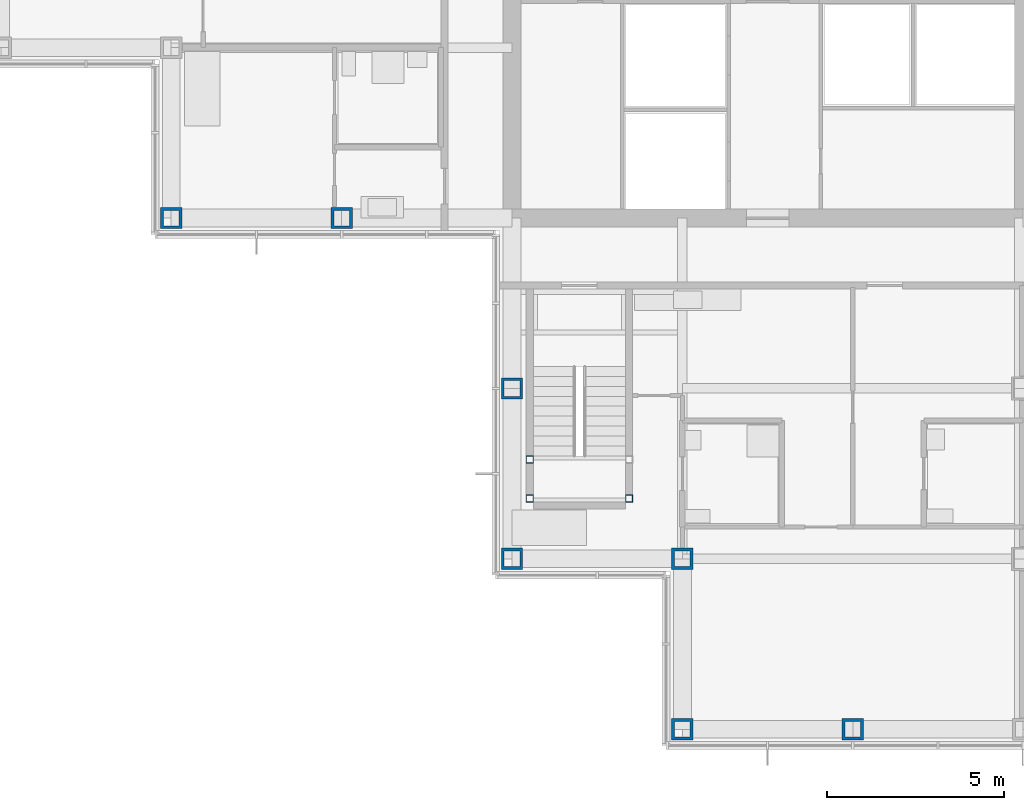
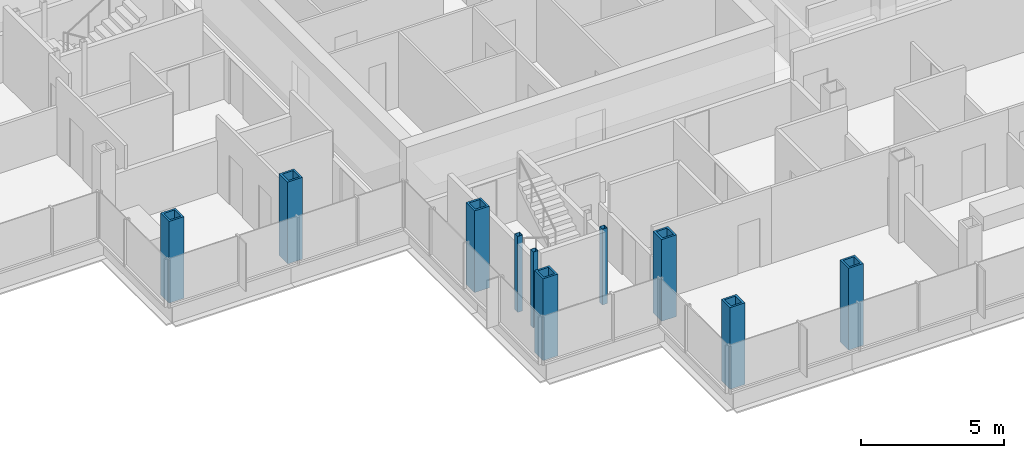
# One storey, part 1 of 20: 10 columns.
"""IFC4 building model written with IfcOpenShell, lengths in metres."""

from ifc_helpers import new_model, si_unit, direction, frame, origin, origin_2d, place, context, subcontext, project, spatial, hollow_rectangle, extrude, material, material_profile, profile_set, type_object, element, save


model = new_model("IFC4")

# Units and contexts
model_context = context("Model", 3, precision=1e-05, world=origin(), true_north=direction((0.0, 1.0)))
body_context = subcontext(model_context, "Body", "Model", "MODEL_VIEW")
ifc_project = project(units=[si_unit("LENGTHUNIT", "METRE"), si_unit("AREAUNIT", "SQUARE_METRE"), si_unit("VOLUMEUNIT", "CUBIC_METRE"), si_unit("PLANEANGLEUNIT", "RADIAN"), si_unit("MASSUNIT", "GRAM", prefix="KILO")], contexts=[model_context])

# Site, building, storey
site_placement = place(None, origin())
site = spatial("IfcSite", under=ifc_project, at=site_placement, CompositionType="ELEMENT")
building_placement = place(site_placement, origin())
building = spatial("IfcBuilding", under=site, at=building_placement, Name="Kvirike Care Tower", CompositionType="ELEMENT")
storey_placement = place(building_placement, frame((0.0, 0.0, 133.0)))
storey = spatial("IfcBuildingStorey", under=building, at=storey_placement, Name="L36", CompositionType="ELEMENT", Elevation=133.0)

# Columns
ifc_material_1 = material(Name="Steel S460", Category="steel")
ifc_material_profile_1 = material_profile(ifc_material_1, hollow_rectangle(XDim=0.60009765625, YDim=0.60009765625, WallThickness=0.080078125, at=origin_2d()), Name="BX 600x600x80")
ifc_profile_set_1 = profile_set([ifc_material_profile_1], Name="Steel S460")
column_type_1 = type_object("IfcColumnType", Name="COLUMN BX 600x600x80", PredefinedType="COLUMN", material=ifc_profile_set_1)
for number, where, z_axis, x_axis, name in (
    (1, (4.800048828125, 28.800048828125, 0.0), (0.0, 0.0, 1.0), (0.0, 1.0, 0.0), "Column G4 L36"),
    (2, (9.60009765625, 28.800048828125, 0.0), (0.0, 0.0, 1.0), (0.0, 1.0, 0.0), "Column G5 L36"),
    (3, (14.39990234375, 19.199951171875, 0.0), (0.0, 0.0, 1.0), (0.0, 1.0, 0.0), "Column E6 L36"),
    (4, (14.39990234375, 24.0, 0.0), (0.0, 0.0, 1.0), (1.0, 0.0, 0.0), "Column F6 L36"),
    (5, (19.199951171875, 14.39990234375, 0.0), (0.0, 0.0, 1.0), (0.0, 1.0, 0.0), "Column D7 L36"),
    (6, (19.199951171875, 19.199951171875, 0.0), (0.0, 0.0, 1.0), (0.0, 1.0, 0.0), "Column E7 L36"),
    (7, (24.0, 14.39990234375, 0.0), (0.0, 0.0, 1.0), (0.0, 1.0, 0.0), "Column D8 L36"),
):
    element("IfcColumn", number, at=place(storey_placement, frame(where, z_axis=z_axis, x_axis=x_axis)), inside=storey, type_object=column_type_1, Name=name, PredefinedType="COLUMN", context=body_context, shape_type="SweptSolid", body=[
        extrude(hollow_rectangle(XDim=0.60009765625, YDim=0.60009765625, WallThickness=0.080078125, at=origin_2d()), origin(), (0.0, 0.0, 1.0), 3.5),
    ])
ifc_material_2 = material(Name="Steel S460", Category="steel")
ifc_material_profile_2 = material_profile(ifc_material_2, hollow_rectangle(XDim=0.199951171875, YDim=0.199951171875, WallThickness=0.008056640625, at=origin_2d()), Name="SHS 200x200x8")
ifc_profile_set_2 = profile_set([ifc_material_profile_2], Name="Steel S460")
column_type_2 = type_object("IfcColumnType", Name="STAIR POST SHS 200x200x8", PredefinedType="COLUMN", material=ifc_profile_set_2)
for number, where, z_axis, x_axis, name in (
    (8, (14.89990234375, 20.89990234375, 0.0), (0.0, 0.0, 1.0), (1.0, 0.0, 0.0), "Stair 5 post 1 L36"),
    (9, (17.699951171875, 20.89990234375, 0.0), (0.0, 0.0, 1.0), (1.0, 0.0, 0.0), "Stair 5 post 2 L36"),
    (10, (14.89990234375, 22.0, 0.0), (0.0, 0.0, 1.0), (1.0, 0.0, 0.0), "Stair 5 post 3 L36"),
):
    element("IfcColumn", number, at=place(storey_placement, frame(where, z_axis=z_axis, x_axis=x_axis)), inside=storey, type_object=column_type_2, Name=name, PredefinedType="COLUMN", context=body_context, shape_type="SweptSolid", body=[
        extrude(hollow_rectangle(XDim=0.199951171875, YDim=0.199951171875, WallThickness=0.008056640625, at=origin_2d()), origin(), (0.0, 0.0, 1.0), 3.25),
    ])

save(model, "model.ifc")
